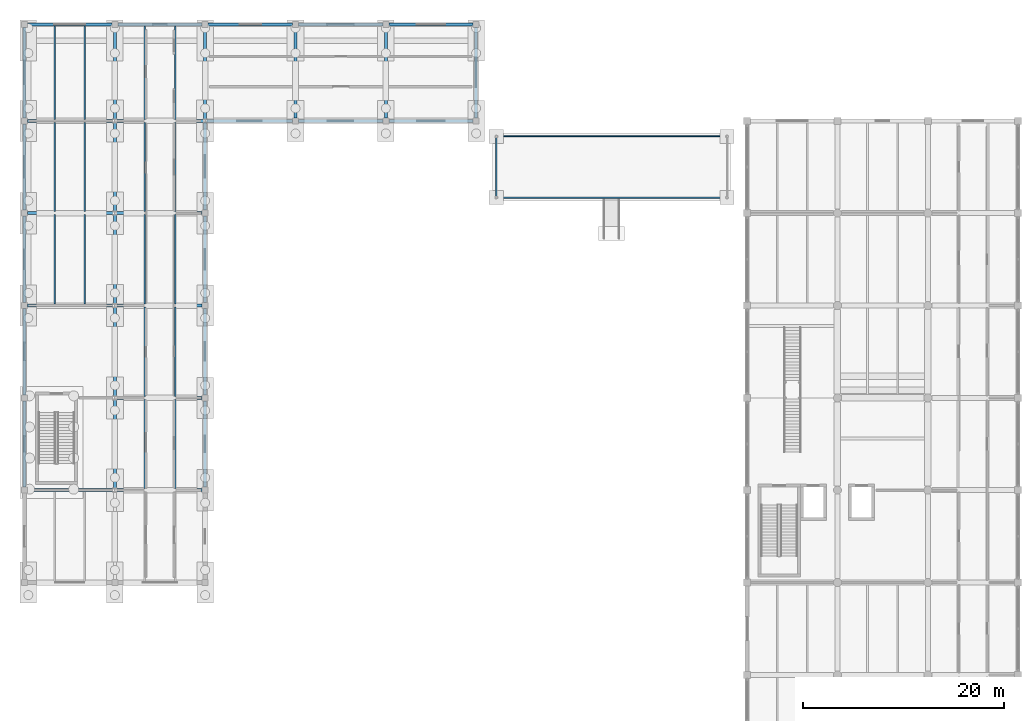
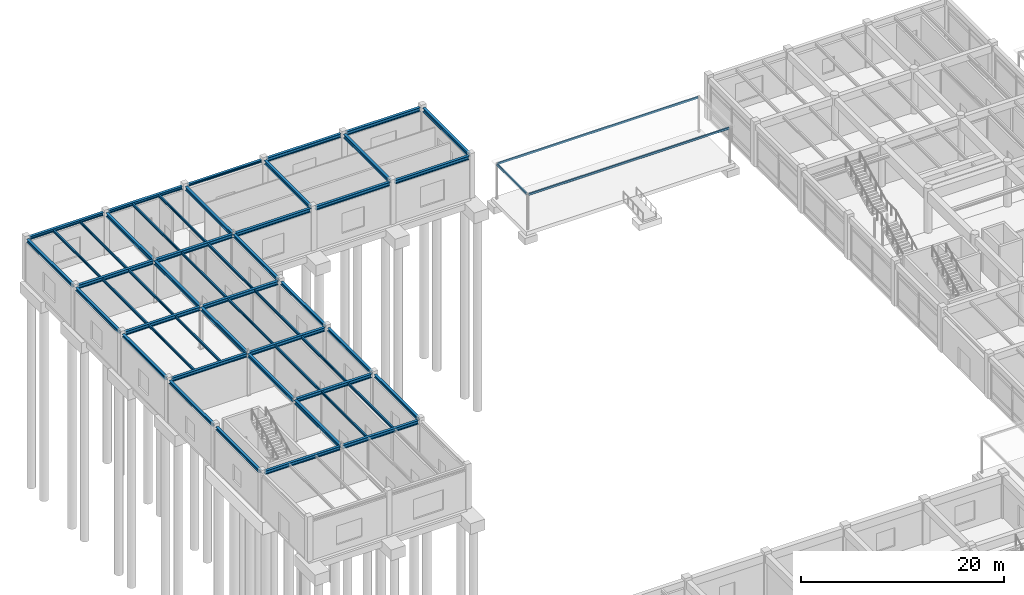
# One storey, part 30 of 76: 51 beams, 3 members.
"""IFC4 building model written with IfcOpenShell, lengths in metres."""

from ifc_helpers import new_model, si_unit, direction, frame, origin, origin_2d, place, context, subcontext, project, spatial, hollow_rectangle, i_section, extrude, material, material_profile, profile_set, type_object, element, save


model = new_model("IFC4")

# Units and contexts
model_context = context("Model", 3, precision=1e-05, world=origin(), true_north=direction((0.0, 1.0)))
body_context = subcontext(model_context, "Body", "Model", "MODEL_VIEW")
ifc_project = project(units=[si_unit("LENGTHUNIT", "METRE"), si_unit("AREAUNIT", "SQUARE_METRE"), si_unit("VOLUMEUNIT", "CUBIC_METRE"), si_unit("PLANEANGLEUNIT", "RADIAN"), si_unit("MASSUNIT", "GRAM", prefix="KILO")], contexts=[model_context])

# Site, building, storey
site_placement = place(None, origin())
site = spatial("IfcSite", under=ifc_project, at=site_placement, CompositionType="ELEMENT")
building_placement = place(site_placement, origin())
building = spatial("IfcBuilding", under=site, at=building_placement, Name="Bozkorgan Art Gallery", CompositionType="ELEMENT")
storey_placement = place(building_placement, origin())
storey = spatial("IfcBuildingStorey", under=building, at=storey_placement, Name="L00", CompositionType="ELEMENT", Elevation=0.0)

# Beams
ifc_material = material(Name="Steel S355J2", Category="steel")
ifc_material_profile_1 = material_profile(ifc_material, i_section(OverallWidth=0.300048828125, OverallDepth=0.43994140625, WebThickness=0.011474609375, FlangeThickness=0.02099609375, FilletRadius=0.027099609375, at=origin_2d()), Name="HEA 450")
ifc_profile_set_1 = profile_set([ifc_material_profile_1], Name="Steel S355J2")
beam_type_1 = type_object("IfcBeamType", Name="BEAM-BM-76", PredefinedType="BEAM", material=ifc_profile_set_1)
for number, where, z_axis, x_axis, name in (
    (1, (2.300048828125, 66.0, 4.840087890625), (1.0, 0.0, 0.0), (0.0, 1.0, 0.0), "V2 L00 beam X (2-11, 66.0)"),
    (2, (11.14990234375, 66.0, 4.840087890625), (1.0, 0.0, 0.0), (0.0, 1.0, 0.0), "V2 L00 beam X (11-20, 66.0)"),
    (3, (11.14990234375, 75.199951171875, 4.840087890625), (1.0, 0.0, 0.0), (0.0, 1.0, 0.0), "V2 L00 beam X (11-20, 75.2)"),
    (4, (2.300048828125, 84.39990234375, 4.840087890625), (1.0, 0.0, 0.0), (0.0, 1.0, 0.0), "V2 L00 beam X (2-11, 84.4)"),
    (5, (11.14990234375, 84.39990234375, 4.840087890625), (1.0, 0.0, 0.0), (0.0, 1.0, 0.0), "V2 L00 beam X (11-20, 84.4)"),
    (6, (2.300048828125, 93.60009765625, 4.840087890625), (1.0, 0.0, 0.0), (0.0, 1.0, 0.0), "V2 L00 beam X (2-11, 93.6)"),
    (7, (11.14990234375, 93.60009765625, 4.840087890625), (1.0, 0.0, 0.0), (0.0, 1.0, 0.0), "V2 L00 beam X (11-20, 93.6)"),
    (8, (2.300048828125, 102.800048828125, 4.840087890625), (1.0, 0.0, 0.0), (0.0, 1.0, 0.0), "V2 L00 beam X (2-11, 102.8)"),
):
    element("IfcBeam", number, at=place(storey_placement, frame(where, z_axis=z_axis, x_axis=x_axis)), inside=storey, type_object=beam_type_1, Name=name, PredefinedType="BEAM", context=body_context, shape_type="SweptSolid", body=[
        extrude(i_section(OverallWidth=0.300048828125, OverallDepth=0.43994140625, WebThickness=0.011474609375, FlangeThickness=0.02099609375, FilletRadius=0.027099609375, at=origin_2d()), origin(), (0.0, 0.0, 1.0), 8.550048828125),
    ])
beam_1_placement = place(storey_placement, frame((11.14990234375, 102.800048828125, 4.840087890625), z_axis=(1.0, 0.0, 0.0), x_axis=(0.0, 1.0, 0.0)))
element("IfcBeam", 9, at=beam_1_placement, inside=storey, type_object=beam_type_1, Name="V2 L00 beam X (11-20, 102.8)", PredefinedType="BEAM", context=body_context, shape_type="SweptSolid", body=[
    extrude(i_section(OverallWidth=0.300048828125, OverallDepth=0.43994140625, WebThickness=0.011474609375, FlangeThickness=0.02099609375, FilletRadius=0.027099609375, at=origin_2d()), origin(), (0.0, 0.0, 1.0), 8.7001953125),
])
beam_2_placement = place(storey_placement, frame((20.14990234375, 102.800048828125, 4.840087890625), z_axis=(1.0, 0.0, 0.0), x_axis=(0.0, 1.0, 0.0)))
element("IfcBeam", 10, at=beam_2_placement, inside=storey, type_object=beam_type_1, Name="V2 L00 beam X (20-29, 102.8)", PredefinedType="BEAM", context=body_context, shape_type="SweptSolid", body=[
    extrude(i_section(OverallWidth=0.300048828125, OverallDepth=0.43994140625, WebThickness=0.011474609375, FlangeThickness=0.02099609375, FilletRadius=0.027099609375, at=origin_2d()), origin(), (0.0, 0.0, 1.0), 8.550048828125),
])
for number, where, z_axis, x_axis, name in (
    (11, (29.300048828125, 102.800048828125, 4.840087890625), (1.0, 0.0, 0.0), (0.0, 1.0, 0.0), "V2 L00 beam X (29-38, 102.8)"),
    (12, (38.300048828125, 102.800048828125, 4.840087890625), (1.0, 0.0, 0.0), (0.0, 1.0, 0.0), "V2 L00 beam X (38-47, 102.8)"),
    (13, (29.300048828125, 112.39990234375, 4.840087890625), (1.0, 0.0, 0.0), (0.0, 1.0, 0.0), "V2 L00 beam X (29-38, 112.4)"),
    (14, (38.300048828125, 112.39990234375, 4.840087890625), (1.0, 0.0, 0.0), (0.0, 1.0, 0.0), "V2 L00 beam X (38-47, 112.4)"),
):
    element("IfcBeam", number, at=place(storey_placement, frame(where, z_axis=z_axis, x_axis=x_axis)), inside=storey, type_object=beam_type_1, Name=name, PredefinedType="BEAM", context=body_context, shape_type="SweptSolid", body=[
        extrude(i_section(OverallWidth=0.300048828125, OverallDepth=0.43994140625, WebThickness=0.011474609375, FlangeThickness=0.02099609375, FilletRadius=0.027099609375, at=origin_2d()), origin(), (0.0, 0.0, 1.0), 8.39990234375),
    ])
beam_3_placement = place(storey_placement, frame((11.0, 66.169921875, 4.840087890625), z_axis=(0.0, 1.0, 0.0), x_axis=(-1.0, 0.0, 0.0)))
element("IfcBeam", 15, at=beam_3_placement, inside=storey, type_object=beam_type_1, Name="V2 L00 beam Y (11, 66.0-75.2)", PredefinedType="BEAM", context=body_context, shape_type="SweptSolid", body=[
    extrude(i_section(OverallWidth=0.300048828125, OverallDepth=0.43994140625, WebThickness=0.011474609375, FlangeThickness=0.02099609375, FilletRadius=0.027099609375, at=origin_2d()), origin(), (0.0, 0.0, 1.0), 8.860107421875),
])
for number, where, z_axis, x_axis, name in (
    (16, (11.0, 75.3701171875, 4.840087890625), (0.0, 1.0, 0.0), (-1.0, 0.0, 0.0), "V2 L00 beam Y (11, 75.2-84.4)"),
    (17, (11.0, 84.570068359375, 4.840087890625), (0.0, 1.0, 0.0), (-1.0, 0.0, 0.0), "V2 L00 beam Y (11, 84.4-93.6)"),
    (18, (11.0, 93.77001953125, 4.840087890625), (0.0, 1.0, 0.0), (-1.0, 0.0, 0.0), "V2 L00 beam Y (11, 93.6-102.8)"),
):
    element("IfcBeam", number, at=place(storey_placement, frame(where, z_axis=z_axis, x_axis=x_axis)), inside=storey, type_object=beam_type_1, Name=name, PredefinedType="BEAM", context=body_context, shape_type="SweptSolid", body=[
        extrude(i_section(OverallWidth=0.300048828125, OverallDepth=0.43994140625, WebThickness=0.011474609375, FlangeThickness=0.02099609375, FilletRadius=0.027099609375, at=origin_2d()), origin(), (0.0, 0.0, 1.0), 8.85986328125),
    ])
for number, where, z_axis, x_axis, name in (
    (19, (11.0, 102.969970703125, 4.840087890625), (0.0, 1.0, 0.0), (-1.0, 0.0, 0.0), "V2 L00 beam Y (11, 102.8-112.4)"),
    (20, (20.0, 102.969970703125, 4.840087890625), (0.0, 1.0, 0.0), (-1.0, 0.0, 0.0), "V2 L00 beam Y (20, 102.8-112.4)"),
):
    element("IfcBeam", number, at=place(storey_placement, frame(where, z_axis=z_axis, x_axis=x_axis)), inside=storey, type_object=beam_type_1, Name=name, PredefinedType="BEAM", context=body_context, shape_type="SweptSolid", body=[
        extrude(i_section(OverallWidth=0.300048828125, OverallDepth=0.43994140625, WebThickness=0.011474609375, FlangeThickness=0.02099609375, FilletRadius=0.027099609375, at=origin_2d()), origin(), (0.0, 0.0, 1.0), 9.130126953125),
    ])
for number, where, z_axis, x_axis, name in (
    (21, (29.0, 103.10009765625, 4.840087890625), (0.0, 1.0, 0.0), (-1.0, 0.0, 0.0), "V2 L00 beam Y (29, 102.8-112.4)"),
    (22, (38.0, 103.10009765625, 4.840087890625), (0.0, 1.0, 0.0), (-1.0, 0.0, 0.0), "V2 L00 beam Y (38, 102.8-112.4)"),
    (23, (47.0, 103.10009765625, 4.840087890625), (0.0, 1.0, 0.0), (-1.0, 0.0, 0.0), "V2 L00 beam Y (47, 102.8-112.4)"),
):
    element("IfcBeam", number, at=place(storey_placement, frame(where, z_axis=z_axis, x_axis=x_axis)), inside=storey, type_object=beam_type_1, Name=name, PredefinedType="BEAM", context=body_context, shape_type="SweptSolid", body=[
        extrude(i_section(OverallWidth=0.300048828125, OverallDepth=0.43994140625, WebThickness=0.011474609375, FlangeThickness=0.02099609375, FilletRadius=0.027099609375, at=origin_2d()), origin(), (0.0, 0.0, 1.0), 9.0),
    ])
ifc_material_profile_2 = material_profile(ifc_material, i_section(OverallWidth=0.14990234375, OverallDepth=0.300048828125, WebThickness=0.007080078125, FlangeThickness=0.0107421875, FilletRadius=0.014892578125, at=origin_2d()), Name="IPE 300")
ifc_profile_set_2 = profile_set([ifc_material_profile_2], Name="Steel S355J2")
beam_type_2 = type_object("IfcBeamType", Name="BEAM-JS-88", PredefinedType="JOIST", material=ifc_profile_set_2)
for number, where, z_axis, x_axis, name in (
    (24, (5.0, 84.550048828125, 4.909912109375), (0.0, 1.0, 0.0), (-1.0, 0.0, 0.0), "V2 L00 secondary joist (2-11, 84.4-93.6) #1"),
    (25, (8.0, 84.550048828125, 4.909912109375), (0.0, 1.0, 0.0), (-1.0, 0.0, 0.0), "V2 L00 secondary joist (2-11, 84.4-93.6) #2"),
    (26, (5.0, 93.75, 4.909912109375), (0.0, 1.0, 0.0), (-1.0, 0.0, 0.0), "V2 L00 secondary joist (2-11, 93.6-102.8) #1"),
    (27, (8.0, 93.75, 4.909912109375), (0.0, 1.0, 0.0), (-1.0, 0.0, 0.0), "V2 L00 secondary joist (2-11, 93.6-102.8) #2"),
):
    element("IfcBeam", number, at=place(storey_placement, frame(where, z_axis=z_axis, x_axis=x_axis)), inside=storey, type_object=beam_type_2, Name=name, PredefinedType="JOIST", context=body_context, shape_type="SweptSolid", body=[
        extrude(i_section(OverallWidth=0.14990234375, OverallDepth=0.300048828125, WebThickness=0.007080078125, FlangeThickness=0.0107421875, FilletRadius=0.014892578125, at=origin_2d()), origin(), (0.0, 0.0, 1.0), 8.89990234375),
    ])
for number, where, z_axis, x_axis, name in (
    (28, (5.0, 102.949951171875, 4.909912109375), (0.0, 1.0, 0.0), (-1.0, 0.0, 0.0), "V2 L00 secondary joist (2-11, 102.8-112.4) #1"),
    (29, (8.0, 102.949951171875, 4.909912109375), (0.0, 1.0, 0.0), (-1.0, 0.0, 0.0), "V2 L00 secondary joist (2-11, 102.8-112.4) #2"),
):
    element("IfcBeam", number, at=place(storey_placement, frame(where, z_axis=z_axis, x_axis=x_axis)), inside=storey, type_object=beam_type_2, Name=name, PredefinedType="JOIST", context=body_context, shape_type="SweptSolid", body=[
        extrude(i_section(OverallWidth=0.14990234375, OverallDepth=0.300048828125, WebThickness=0.007080078125, FlangeThickness=0.0107421875, FilletRadius=0.014892578125, at=origin_2d()), origin(), (0.0, 0.0, 1.0), 9.300048828125),
    ])
for number, where, z_axis, x_axis, name in (
    (30, (14.0, 66.14990234375, 4.909912109375), (0.0, 1.0, 0.0), (-1.0, 0.0, 0.0), "V2 L00 secondary joist (11-20, 66.0-75.2) #1"),
    (31, (17.0, 66.14990234375, 4.909912109375), (0.0, 1.0, 0.0), (-1.0, 0.0, 0.0), "V2 L00 secondary joist (11-20, 66.0-75.2) #2"),
):
    element("IfcBeam", number, at=place(storey_placement, frame(where, z_axis=z_axis, x_axis=x_axis)), inside=storey, type_object=beam_type_2, Name=name, PredefinedType="JOIST", context=body_context, shape_type="SweptSolid", body=[
        extrude(i_section(OverallWidth=0.14990234375, OverallDepth=0.300048828125, WebThickness=0.007080078125, FlangeThickness=0.0107421875, FilletRadius=0.014892578125, at=origin_2d()), origin(), (0.0, 0.0, 1.0), 8.900146484375),
    ])
for number, where, z_axis, x_axis, name in (
    (32, (14.0, 75.35009765625, 4.909912109375), (0.0, 1.0, 0.0), (-1.0, 0.0, 0.0), "V2 L00 secondary joist (11-20, 75.2-84.4) #1"),
    (33, (17.0, 75.35009765625, 4.909912109375), (0.0, 1.0, 0.0), (-1.0, 0.0, 0.0), "V2 L00 secondary joist (11-20, 75.2-84.4) #2"),
    (34, (14.0, 84.550048828125, 4.909912109375), (0.0, 1.0, 0.0), (-1.0, 0.0, 0.0), "V2 L00 secondary joist (11-20, 84.4-93.6) #1"),
    (35, (17.0, 84.550048828125, 4.909912109375), (0.0, 1.0, 0.0), (-1.0, 0.0, 0.0), "V2 L00 secondary joist (11-20, 84.4-93.6) #2"),
    (36, (14.0, 93.75, 4.909912109375), (0.0, 1.0, 0.0), (-1.0, 0.0, 0.0), "V2 L00 secondary joist (11-20, 93.6-102.8) #1"),
    (37, (17.0, 93.75, 4.909912109375), (0.0, 1.0, 0.0), (-1.0, 0.0, 0.0), "V2 L00 secondary joist (11-20, 93.6-102.8) #2"),
):
    element("IfcBeam", number, at=place(storey_placement, frame(where, z_axis=z_axis, x_axis=x_axis)), inside=storey, type_object=beam_type_2, Name=name, PredefinedType="JOIST", context=body_context, shape_type="SweptSolid", body=[
        extrude(i_section(OverallWidth=0.14990234375, OverallDepth=0.300048828125, WebThickness=0.007080078125, FlangeThickness=0.0107421875, FilletRadius=0.014892578125, at=origin_2d()), origin(), (0.0, 0.0, 1.0), 8.89990234375),
    ])
for number, where, z_axis, x_axis, name in (
    (38, (14.0, 102.949951171875, 4.909912109375), (0.0, 1.0, 0.0), (-1.0, 0.0, 0.0), "V2 L00 secondary joist (11-20, 102.8-112.4) #1"),
    (39, (17.0, 102.949951171875, 4.909912109375), (0.0, 1.0, 0.0), (-1.0, 0.0, 0.0), "V2 L00 secondary joist (11-20, 102.8-112.4) #2"),
):
    element("IfcBeam", number, at=place(storey_placement, frame(where, z_axis=z_axis, x_axis=x_axis)), inside=storey, type_object=beam_type_2, Name=name, PredefinedType="JOIST", context=body_context, shape_type="SweptSolid", body=[
        extrude(i_section(OverallWidth=0.14990234375, OverallDepth=0.300048828125, WebThickness=0.007080078125, FlangeThickness=0.0107421875, FilletRadius=0.014892578125, at=origin_2d()), origin(), (0.0, 0.0, 1.0), 9.300048828125),
    ])
ifc_material_profile_3 = material_profile(ifc_material, i_section(OverallWidth=0.280029296875, OverallDepth=0.27001953125, WebThickness=0.008056640625, FlangeThickness=0.012939453125, FilletRadius=0.02392578125, at=origin_2d()), Name="HEA 280")
ifc_profile_set_3 = profile_set([ifc_material_profile_3], Name="Steel S355J2")
beam_type_3 = type_object("IfcBeamType", Name="BEAM-LN-98", PredefinedType="LINTEL", material=ifc_profile_set_3)
beam_4_placement = place(storey_placement, frame((20.300048828125, 112.39990234375, 4.925048828125), z_axis=(1.0, 0.0, 0.0), x_axis=(0.0, 1.0, 0.0)))
element("IfcBeam", 40, at=beam_4_placement, inside=storey, type_object=beam_type_3, Name="V2 L00 lintel X (20-29, 112.4)", PredefinedType="LINTEL", context=body_context, shape_type="SweptSolid", body=[
    extrude(i_section(OverallWidth=0.280029296875, OverallDepth=0.27001953125, WebThickness=0.008056640625, FlangeThickness=0.012939453125, FilletRadius=0.02392578125, at=origin_2d()), origin(), (0.0, 0.0, 1.0), 8.39990234375),
])
ifc_material_profile_4 = material_profile(ifc_material, i_section(OverallWidth=0.300048828125, OverallDepth=0.35009765625, WebThickness=0.010009765625, FlangeThickness=0.017578125, FilletRadius=0.027099609375, at=origin_2d()), Name="HEA 360")
ifc_profile_set_4 = profile_set([ifc_material_profile_4], Name="Steel S355J2")
beam_type_4 = type_object("IfcBeamType", Name="BEAM-SP-97", PredefinedType="SPANDREL", material=ifc_profile_set_4)
for number, where, z_axis, x_axis, name in (
    (41, (2.300048828125, 112.39990234375, 4.885009765625), (1.0, 0.0, 0.0), (0.0, 1.0, 0.0), "V2 L00 spandrel X (2-11, 112.4)"),
    (42, (11.300048828125, 112.39990234375, 4.885009765625), (1.0, 0.0, 0.0), (0.0, 1.0, 0.0), "V2 L00 spandrel X (11-20, 112.4)"),
):
    element("IfcBeam", number, at=place(storey_placement, frame(where, z_axis=z_axis, x_axis=x_axis)), inside=storey, type_object=beam_type_4, Name=name, PredefinedType="SPANDREL", context=body_context, shape_type="SweptSolid", body=[
        extrude(i_section(OverallWidth=0.300048828125, OverallDepth=0.35009765625, WebThickness=0.010009765625, FlangeThickness=0.017578125, FilletRadius=0.027099609375, at=origin_2d()), origin(), (0.0, 0.0, 1.0), 8.39990234375),
    ])
beam_5_placement = place(storey_placement, frame((2.0, 66.300048828125, 4.885009765625), z_axis=(0.0, 1.0, 0.0), x_axis=(-1.0, 0.0, 0.0)))
element("IfcBeam", 43, at=beam_5_placement, inside=storey, type_object=beam_type_4, Name="V2 L00 spandrel Y (2, 66.0-75.2)", PredefinedType="SPANDREL", context=body_context, shape_type="SweptSolid", body=[
    extrude(i_section(OverallWidth=0.300048828125, OverallDepth=0.35009765625, WebThickness=0.010009765625, FlangeThickness=0.017578125, FilletRadius=0.027099609375, at=origin_2d()), origin(), (0.0, 0.0, 1.0), 8.599853515625),
])
for number, where, z_axis, x_axis, name in (
    (44, (2.0, 75.5, 4.885009765625), (0.0, 1.0, 0.0), (-1.0, 0.0, 0.0), "V2 L00 spandrel Y (2, 75.2-84.4)"),
    (45, (2.0, 84.699951171875, 4.885009765625), (0.0, 1.0, 0.0), (-1.0, 0.0, 0.0), "V2 L00 spandrel Y (2, 84.4-93.6)"),
    (46, (2.0, 93.89990234375, 4.885009765625), (0.0, 1.0, 0.0), (-1.0, 0.0, 0.0), "V2 L00 spandrel Y (2, 93.6-102.8)"),
):
    element("IfcBeam", number, at=place(storey_placement, frame(where, z_axis=z_axis, x_axis=x_axis)), inside=storey, type_object=beam_type_4, Name=name, PredefinedType="SPANDREL", context=body_context, shape_type="SweptSolid", body=[
        extrude(i_section(OverallWidth=0.300048828125, OverallDepth=0.35009765625, WebThickness=0.010009765625, FlangeThickness=0.017578125, FilletRadius=0.027099609375, at=origin_2d()), origin(), (0.0, 0.0, 1.0), 8.60009765625),
    ])
beam_6_placement = place(storey_placement, frame((2.0, 103.10009765625, 4.885009765625), z_axis=(0.0, 1.0, 0.0), x_axis=(-1.0, 0.0, 0.0)))
element("IfcBeam", 47, at=beam_6_placement, inside=storey, type_object=beam_type_4, Name="V2 L00 spandrel Y (2, 102.8-112.4)", PredefinedType="SPANDREL", context=body_context, shape_type="SweptSolid", body=[
    extrude(i_section(OverallWidth=0.300048828125, OverallDepth=0.35009765625, WebThickness=0.010009765625, FlangeThickness=0.017578125, FilletRadius=0.027099609375, at=origin_2d()), origin(), (0.0, 0.0, 1.0), 9.0),
])
beam_7_placement = place(storey_placement, frame((20.0, 66.300048828125, 4.885009765625), z_axis=(0.0, 1.0, 0.0), x_axis=(-1.0, 0.0, 0.0)))
element("IfcBeam", 48, at=beam_7_placement, inside=storey, type_object=beam_type_4, Name="V2 L00 spandrel Y (20, 66.0-75.2)", PredefinedType="SPANDREL", context=body_context, shape_type="SweptSolid", body=[
    extrude(i_section(OverallWidth=0.300048828125, OverallDepth=0.35009765625, WebThickness=0.010009765625, FlangeThickness=0.017578125, FilletRadius=0.027099609375, at=origin_2d()), origin(), (0.0, 0.0, 1.0), 8.599853515625),
])
for number, where, z_axis, x_axis, name in (
    (49, (20.0, 75.5, 4.885009765625), (0.0, 1.0, 0.0), (-1.0, 0.0, 0.0), "V2 L00 spandrel Y (20, 75.2-84.4)"),
    (50, (20.0, 84.699951171875, 4.885009765625), (0.0, 1.0, 0.0), (-1.0, 0.0, 0.0), "V2 L00 spandrel Y (20, 84.4-93.6)"),
):
    element("IfcBeam", number, at=place(storey_placement, frame(where, z_axis=z_axis, x_axis=x_axis)), inside=storey, type_object=beam_type_4, Name=name, PredefinedType="SPANDREL", context=body_context, shape_type="SweptSolid", body=[
        extrude(i_section(OverallWidth=0.300048828125, OverallDepth=0.35009765625, WebThickness=0.010009765625, FlangeThickness=0.017578125, FilletRadius=0.027099609375, at=origin_2d()), origin(), (0.0, 0.0, 1.0), 8.60009765625),
    ])
beam_8_placement = place(storey_placement, frame((20.0, 93.89990234375, 4.885009765625), z_axis=(0.0, 1.0, 0.0), x_axis=(-1.0, 0.0, 0.0)))
element("IfcBeam", 51, at=beam_8_placement, inside=storey, type_object=beam_type_4, Name="V2 L00 spandrel Y (20, 93.6-102.8)", PredefinedType="SPANDREL", context=body_context, shape_type="SweptSolid", body=[
    extrude(i_section(OverallWidth=0.300048828125, OverallDepth=0.35009765625, WebThickness=0.010009765625, FlangeThickness=0.017578125, FilletRadius=0.027099609375, at=origin_2d()), origin(), (0.0, 0.0, 1.0), 8.72998046875),
])

# Members
ifc_material_profile_5 = material_profile(ifc_material, hollow_rectangle(XDim=0.14990234375, YDim=0.25, WallThickness=0.010009765625, InnerFilletRadius=0.014892578125, OuterFilletRadius=0.02490234375, at=origin_2d()), Name="RHS 250x150x10")
ifc_profile_set_5 = profile_set([ifc_material_profile_5], Name="Steel S355J2")
member_type = type_object("IfcMemberType", Name="MEMBER-WM-72", PredefinedType="CHORD", material=ifc_profile_set_5)
for number, where, z_axis, x_axis, name in (
    (52, (49.1201171875, 95.14990234375, 4.175048828125), (1.0, 0.0, 0.0), (0.0, 1.0, 0.0), "North Sculpture-Court Covered Walk PTFE sliding edge chord 1"),
    (53, (71.8798828125, 101.25, 4.175048828125), (-1.0, 0.0, 0.0), (0.0, -1.0, 0.0), "North Sculpture-Court Covered Walk PTFE sliding edge chord 3"),
):
    element("IfcMember", number, at=place(storey_placement, frame(where, z_axis=z_axis, x_axis=x_axis)), inside=storey, type_object=member_type, Name=name, PredefinedType="CHORD", context=body_context, shape_type="SweptSolid", body=[
        extrude(hollow_rectangle(XDim=0.14990234375, YDim=0.25, WallThickness=0.010009765625, InnerFilletRadius=0.014892578125, OuterFilletRadius=0.02490234375, at=origin_2d()), origin(), (0.0, 0.0, 1.0), 22.759765625),
    ])
member_placement = place(storey_placement, frame((49.0, 101.1298828125, 4.175048828125), z_axis=(0.0, -1.0, 0.0), x_axis=(1.0, 0.0, 0.0)))
element("IfcMember", 54, at=member_placement, inside=storey, type_object=member_type, Name="North Sculpture-Court Covered Walk PTFE sliding edge chord 4", PredefinedType="CHORD", context=body_context, shape_type="SweptSolid", body=[
    extrude(hollow_rectangle(XDim=0.14990234375, YDim=0.25, WallThickness=0.010009765625, InnerFilletRadius=0.014892578125, OuterFilletRadius=0.02490234375, at=origin_2d()), origin(), (0.0, 0.0, 1.0), 5.85986328125),
])

save(model, "model.ifc")
